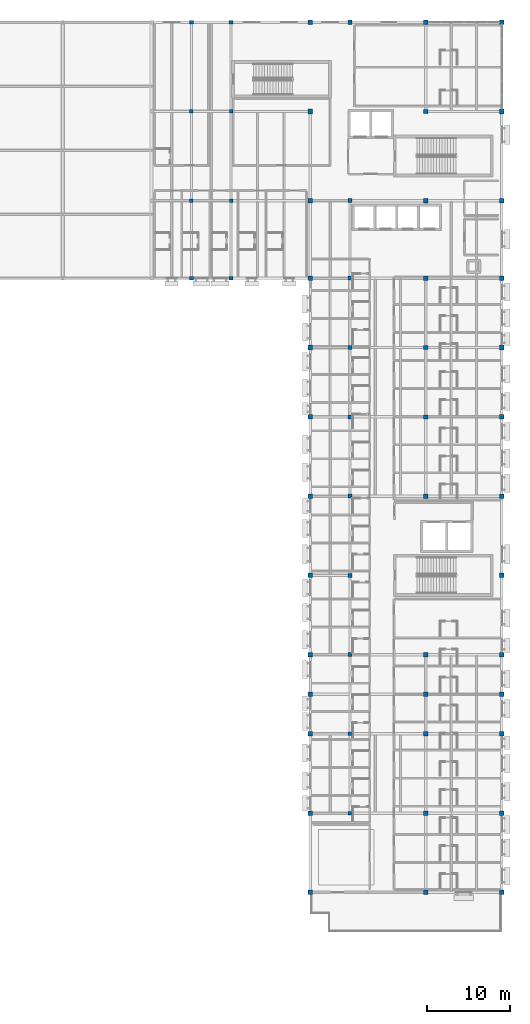
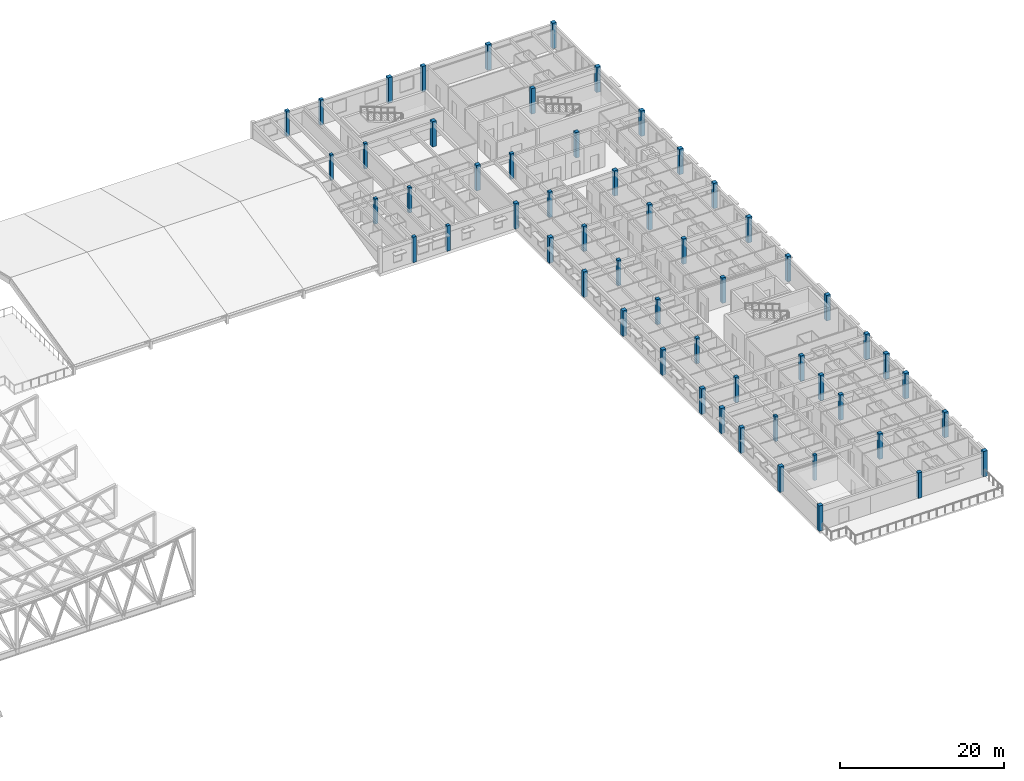
# One storey, part 6 of 40: 56 columns.
"""IFC4 building model written with IfcOpenShell, lengths in metres."""

from ifc_helpers import new_model, si_unit, direction, frame, origin, origin_2d, place, context, subcontext, project, spatial, rectangle, extrude, material, material_profile, profile_set, type_object, element, save


model = new_model("IFC4")

# Units and contexts
model_context = context("Model", 3, precision=1e-05, world=origin(), true_north=direction((0.0, 1.0)))
body_context = subcontext(model_context, "Body", "Model", "MODEL_VIEW")
ifc_project = project(units=[si_unit("LENGTHUNIT", "METRE"), si_unit("AREAUNIT", "SQUARE_METRE"), si_unit("VOLUMEUNIT", "CUBIC_METRE"), si_unit("PLANEANGLEUNIT", "RADIAN"), si_unit("MASSUNIT", "GRAM", prefix="KILO")], contexts=[model_context])

# Site, building, storey
site_placement = place(None, origin())
site = spatial("IfcSite", under=ifc_project, at=site_placement, CompositionType="ELEMENT")
building_placement = place(site_placement, origin())
building = spatial("IfcBuilding", under=site, at=building_placement, Name="Veldera Park Congress Hotel", CompositionType="ELEMENT")
storey_placement = place(building_placement, frame((0.0, 0.0, 16.199951171875)))
storey = spatial("IfcBuildingStorey", under=building, at=storey_placement, Name="L03", CompositionType="ELEMENT", Elevation=16.199951171875)

# Columns
ifc_material = material(Name="Glulam GL28h (NDS 24F-V4)", Category="wood")
ifc_material_profile_1 = material_profile(ifc_material, rectangle(XDim=0.419921875, YDim=0.419921875, at=origin_2d()), Name="GL28h 420x420")
ifc_profile_set_1 = profile_set([ifc_material_profile_1], Name="Glulam GL28h (NDS 24F-V4)")
column_type_1 = type_object("IfcColumnType", Name="COL-GL42", PredefinedType="COLUMN", material=ifc_profile_set_1)
for number, where, z_axis, x_axis, name in (
    (1, (46.39990234375, 36.39990234375, 0.0), (0.0, 0.0, 1.0), (1.0, 0.0, 0.0), "L03 Column COL-GL42 (46.4,36.4)"),
    (2, (46.39990234375, 47.199951171875, 0.0), (0.0, 0.0, 1.0), (1.0, 0.0, 0.0), "L03 Column COL-GL42 (46.4,47.2)"),
    (3, (51.199951171875, 36.39990234375, 0.0), (0.0, 0.0, 1.0), (1.0, 0.0, 0.0), "L03 Column COL-GL42 (51.2,36.4)"),
    (4, (51.199951171875, 47.199951171875, 0.0), (0.0, 0.0, 1.0), (1.0, 0.0, 0.0), "L03 Column COL-GL42 (51.2,47.2)"),
    (5, (65.60009765625, -37.800048828125, 0.0), (0.0, 0.0, 1.0), (1.0, 0.0, 0.0), "L03 Column COL-GL42 (65.6,-37.8)"),
    (6, (65.60009765625, -28.199951171875, 0.0), (0.0, 0.0, 1.0), (1.0, 0.0, 0.0), "L03 Column COL-GL42 (65.6,-28.2)"),
):
    element("IfcColumn", number, at=place(storey_placement, frame(where, z_axis=z_axis, x_axis=x_axis)), inside=storey, type_object=column_type_1, Name=name, PredefinedType="COLUMN", context=body_context, shape_type="SweptSolid", body=[
        extrude(rectangle(XDim=0.419921875, YDim=0.419921875, at=origin_2d()), origin(), (0.0, 0.0, 1.0), 3.800048828125),
    ])
ifc_material_profile_2 = material_profile(ifc_material, rectangle(XDim=0.449951171875, YDim=0.449951171875, at=origin_2d()), Name="GL28h 450x450")
ifc_profile_set_2 = profile_set([ifc_material_profile_2], Name="Glulam GL28h (NDS 24F-V4)")
column_type_2 = type_object("IfcColumnType", Name="COL-GL42E", PredefinedType="COLUMN", material=ifc_profile_set_2)
for number, where, z_axis, x_axis, name in (
    (7, (46.39990234375, 27.0, 0.0), (0.0, 0.0, 1.0), (1.0, 0.0, 0.0), "L03 Column COL-GL42E (46.4,27.0)"),
    (8, (46.39990234375, 58.0, 0.0), (0.0, 0.0, 1.0), (1.0, 0.0, 0.0), "L03 Column COL-GL42E (46.4,58.0)"),
    (9, (51.199951171875, 27.0, 0.0), (0.0, 0.0, 1.0), (1.0, 0.0, 0.0), "L03 Column COL-GL42E (51.2,27.0)"),
    (10, (51.199951171875, 58.0, 0.0), (0.0, 0.0, 1.0), (1.0, 0.0, 0.0), "L03 Column COL-GL42E (51.2,58.0)"),
):
    element("IfcColumn", number, at=place(storey_placement, frame(where, z_axis=z_axis, x_axis=x_axis)), inside=storey, type_object=column_type_2, Name=name, PredefinedType="COLUMN", context=body_context, shape_type="SweptSolid", body=[
        extrude(rectangle(XDim=0.449951171875, YDim=0.449951171875, at=origin_2d()), origin(), (0.0, 0.0, 1.0), 3.800048828125),
    ])
ifc_material_profile_3 = material_profile(ifc_material, rectangle(XDim=0.47998046875, YDim=0.47998046875, at=origin_2d()), Name="GL28h 480x480")
ifc_profile_set_3 = profile_set([ifc_material_profile_3], Name="Glulam GL28h (NDS 24F-V4)")
column_type_3 = type_object("IfcColumnType", Name="COL-GL48", PredefinedType="COLUMN", material=ifc_profile_set_3)
for number, where, z_axis, x_axis, name in (
    (11, (65.60009765625, -18.60009765625, 0.0), (0.0, 0.0, 1.0), (1.0, 0.0, 0.0), "L03 Column COL-GL48 (65.6,-18.6)"),
    (12, (65.60009765625, -9.0, 0.0), (0.0, 0.0, 1.0), (1.0, 0.0, 0.0), "L03 Column COL-GL48 (65.6,-9.0)"),
    (13, (65.60009765625, 0.60009765625, 0.0), (0.0, 0.0, 1.0), (1.0, 0.0, 0.0), "L03 Column COL-GL48 (65.6,0.6)"),
    (14, (65.60009765625, 10.199951171875, 0.0), (0.0, 0.0, 1.0), (1.0, 0.0, 0.0), "L03 Column COL-GL48 (65.6,10.2)"),
    (15, (65.60009765625, 18.60009765625, 0.0), (0.0, 0.0, 1.0), (1.0, 0.0, 0.0), "L03 Column COL-GL48 (65.6,18.6)"),
    (16, (65.60009765625, 27.0, 0.0), (0.0, 0.0, 1.0), (1.0, 0.0, 0.0), "L03 Column COL-GL48 (65.6,27.0)"),
    (17, (65.60009765625, 36.39990234375, 0.0), (0.0, 0.0, 1.0), (1.0, 0.0, 0.0), "L03 Column COL-GL48 (65.6,36.4)"),
):
    element("IfcColumn", number, at=place(storey_placement, frame(where, z_axis=z_axis, x_axis=x_axis)), inside=storey, type_object=column_type_3, Name=name, PredefinedType="COLUMN", context=body_context, shape_type="SweptSolid", body=[
        extrude(rectangle(XDim=0.47998046875, YDim=0.47998046875, at=origin_2d()), origin(), (0.0, 0.0, 1.0), 3.800048828125),
    ])
ifc_material_profile_4 = material_profile(ifc_material, rectangle(XDim=0.52001953125, YDim=0.52001953125, at=origin_2d()), Name="GL28h 520x520")
ifc_profile_set_4 = profile_set([ifc_material_profile_4], Name="Glulam GL28h (NDS 24F-V4)")
column_type_4 = type_object("IfcColumnType", Name="COL-GL48E", PredefinedType="COLUMN", material=ifc_profile_set_4)
column_placement = place(storey_placement, frame((65.60009765625, 58.0, 0.0), z_axis=(0.0, 0.0, 1.0), x_axis=(1.0, 0.0, 0.0)))
element("IfcColumn", 18, at=column_placement, inside=storey, type_object=column_type_4, Name="L03 Column COL-GL48E (65.6,58.0)", PredefinedType="COLUMN", context=body_context, shape_type="SweptSolid", body=[
    extrude(rectangle(XDim=0.52001953125, YDim=0.52001953125, at=origin_2d()), origin(), (0.0, 0.0, 1.0), 3.800048828125),
])
ifc_material_profile_5 = material_profile(ifc_material, rectangle(XDim=0.52001953125, YDim=0.52001953125, at=origin_2d()), Name="GL28h 520x520")
ifc_profile_set_5 = profile_set([ifc_material_profile_5], Name="Glulam GL28h (NDS 24F-V4)")
column_type_5 = type_object("IfcColumnType", Name="COL-GL52", PredefinedType="COLUMN", material=ifc_profile_set_5)
for number, where, z_axis, x_axis, name in (
    (19, (74.800048828125, -47.39990234375, 0.0), (0.0, 0.0, 1.0), (1.0, 0.0, 0.0), "L03 Column COL-GL52 (74.8,-47.4)"),
    (20, (74.800048828125, -37.800048828125, 0.0), (0.0, 0.0, 1.0), (1.0, 0.0, 0.0), "L03 Column COL-GL52 (74.8,-37.8)"),
    (21, (74.800048828125, -28.199951171875, 0.0), (0.0, 0.0, 1.0), (1.0, 0.0, 0.0), "L03 Column COL-GL52 (74.8,-28.2)"),
    (22, (74.800048828125, -23.39990234375, 0.0), (0.0, 0.0, 1.0), (1.0, 0.0, 0.0), "L03 Column COL-GL52 (74.8,-23.4)"),
    (23, (74.800048828125, -18.60009765625, 0.0), (0.0, 0.0, 1.0), (1.0, 0.0, 0.0), "L03 Column COL-GL52 (74.8,-18.6)"),
    (24, (74.800048828125, 0.60009765625, 0.0), (0.0, 0.0, 1.0), (1.0, 0.0, 0.0), "L03 Column COL-GL52 (74.8,0.6)"),
    (25, (74.800048828125, 10.199951171875, 0.0), (0.0, 0.0, 1.0), (1.0, 0.0, 0.0), "L03 Column COL-GL52 (74.8,10.2)"),
    (26, (74.800048828125, 18.60009765625, 0.0), (0.0, 0.0, 1.0), (1.0, 0.0, 0.0), "L03 Column COL-GL52 (74.8,18.6)"),
    (27, (74.800048828125, 27.0, 0.0), (0.0, 0.0, 1.0), (1.0, 0.0, 0.0), "L03 Column COL-GL52 (74.8,27.0)"),
    (28, (74.800048828125, 36.39990234375, 0.0), (0.0, 0.0, 1.0), (1.0, 0.0, 0.0), "L03 Column COL-GL52 (74.8,36.4)"),
    (29, (74.800048828125, 47.199951171875, 0.0), (0.0, 0.0, 1.0), (1.0, 0.0, 0.0), "L03 Column COL-GL52 (74.8,47.2)"),
):
    element("IfcColumn", number, at=place(storey_placement, frame(where, z_axis=z_axis, x_axis=x_axis)), inside=storey, type_object=column_type_5, Name=name, PredefinedType="COLUMN", context=body_context, shape_type="SweptSolid", body=[
        extrude(rectangle(XDim=0.52001953125, YDim=0.52001953125, at=origin_2d()), origin(), (0.0, 0.0, 1.0), 3.800048828125),
    ])
ifc_material_profile_6 = material_profile(ifc_material, rectangle(XDim=0.56005859375, YDim=0.56005859375, at=origin_2d()), Name="GL28h 560x560")
ifc_profile_set_6 = profile_set([ifc_material_profile_6], Name="Glulam GL28h (NDS 24F-V4)")
column_type_6 = type_object("IfcColumnType", Name="COL-GL52E", PredefinedType="COLUMN", material=ifc_profile_set_6)
for number, where, z_axis, x_axis, name in (
    (30, (60.800048828125, -47.39990234375, 0.0), (0.0, 0.0, 1.0), (1.0, 0.0, 0.0), "L03 Column COL-GL52E (60.8,-47.4)"),
    (31, (60.800048828125, -37.800048828125, 0.0), (0.0, 0.0, 1.0), (1.0, 0.0, 0.0), "L03 Column COL-GL52E (60.8,-37.8)"),
    (32, (60.800048828125, -28.199951171875, 0.0), (0.0, 0.0, 1.0), (1.0, 0.0, 0.0), "L03 Column COL-GL52E (60.8,-28.2)"),
    (33, (60.800048828125, -23.39990234375, 0.0), (0.0, 0.0, 1.0), (1.0, 0.0, 0.0), "L03 Column COL-GL52E (60.8,-23.4)"),
    (34, (60.800048828125, -18.60009765625, 0.0), (0.0, 0.0, 1.0), (1.0, 0.0, 0.0), "L03 Column COL-GL52E (60.8,-18.6)"),
    (35, (60.800048828125, -9.0, 0.0), (0.0, 0.0, 1.0), (1.0, 0.0, 0.0), "L03 Column COL-GL52E (60.8,-9.0)"),
    (36, (60.800048828125, 0.60009765625, 0.0), (0.0, 0.0, 1.0), (1.0, 0.0, 0.0), "L03 Column COL-GL52E (60.8,0.6)"),
    (37, (60.800048828125, 10.199951171875, 0.0), (0.0, 0.0, 1.0), (1.0, 0.0, 0.0), "L03 Column COL-GL52E (60.8,10.2)"),
    (38, (60.800048828125, 18.60009765625, 0.0), (0.0, 0.0, 1.0), (1.0, 0.0, 0.0), "L03 Column COL-GL52E (60.8,18.6)"),
    (39, (60.800048828125, 27.0, 0.0), (0.0, 0.0, 1.0), (1.0, 0.0, 0.0), "L03 Column COL-GL52E (60.8,27.0)"),
    (40, (60.800048828125, 36.39990234375, 0.0), (0.0, 0.0, 1.0), (1.0, 0.0, 0.0), "L03 Column COL-GL52E (60.8,36.4)"),
    (41, (60.800048828125, 47.199951171875, 0.0), (0.0, 0.0, 1.0), (1.0, 0.0, 0.0), "L03 Column COL-GL52E (60.8,47.2)"),
    (42, (60.800048828125, 58.0, 0.0), (0.0, 0.0, 1.0), (1.0, 0.0, 0.0), "L03 Column COL-GL52E (60.8,58.0)"),
    (43, (74.800048828125, 58.0, 0.0), (0.0, 0.0, 1.0), (1.0, 0.0, 0.0), "L03 Column COL-GL52E (74.8,58.0)"),
    (44, (84.0, -47.39990234375, 0.0), (0.0, 0.0, 1.0), (1.0, 0.0, 0.0), "L03 Column COL-GL52E (84.0,-47.4)"),
    (45, (84.0, -37.800048828125, 0.0), (0.0, 0.0, 1.0), (1.0, 0.0, 0.0), "L03 Column COL-GL52E (84.0,-37.8)"),
    (46, (84.0, -28.199951171875, 0.0), (0.0, 0.0, 1.0), (1.0, 0.0, 0.0), "L03 Column COL-GL52E (84.0,-28.2)"),
    (47, (84.0, -23.39990234375, 0.0), (0.0, 0.0, 1.0), (1.0, 0.0, 0.0), "L03 Column COL-GL52E (84.0,-23.4)"),
    (48, (84.0, -18.60009765625, 0.0), (0.0, 0.0, 1.0), (1.0, 0.0, 0.0), "L03 Column COL-GL52E (84.0,-18.6)"),
    (49, (84.0, -9.0, 0.0), (0.0, 0.0, 1.0), (1.0, 0.0, 0.0), "L03 Column COL-GL52E (84.0,-9.0)"),
    (50, (84.0, 0.60009765625, 0.0), (0.0, 0.0, 1.0), (1.0, 0.0, 0.0), "L03 Column COL-GL52E (84.0,0.6)"),
    (51, (84.0, 10.199951171875, 0.0), (0.0, 0.0, 1.0), (1.0, 0.0, 0.0), "L03 Column COL-GL52E (84.0,10.2)"),
    (52, (84.0, 18.60009765625, 0.0), (0.0, 0.0, 1.0), (1.0, 0.0, 0.0), "L03 Column COL-GL52E (84.0,18.6)"),
    (53, (84.0, 27.0, 0.0), (0.0, 0.0, 1.0), (1.0, 0.0, 0.0), "L03 Column COL-GL52E (84.0,27.0)"),
    (54, (84.0, 36.39990234375, 0.0), (0.0, 0.0, 1.0), (1.0, 0.0, 0.0), "L03 Column COL-GL52E (84.0,36.4)"),
    (55, (84.0, 47.199951171875, 0.0), (0.0, 0.0, 1.0), (1.0, 0.0, 0.0), "L03 Column COL-GL52E (84.0,47.2)"),
    (56, (84.0, 58.0, 0.0), (0.0, 0.0, 1.0), (1.0, 0.0, 0.0), "L03 Column COL-GL52E (84.0,58.0)"),
):
    element("IfcColumn", number, at=place(storey_placement, frame(where, z_axis=z_axis, x_axis=x_axis)), inside=storey, type_object=column_type_6, Name=name, PredefinedType="COLUMN", context=body_context, shape_type="SweptSolid", body=[
        extrude(rectangle(XDim=0.56005859375, YDim=0.56005859375, at=origin_2d()), origin(), (0.0, 0.0, 1.0), 3.800048828125),
    ])

save(model, "model.ifc")
